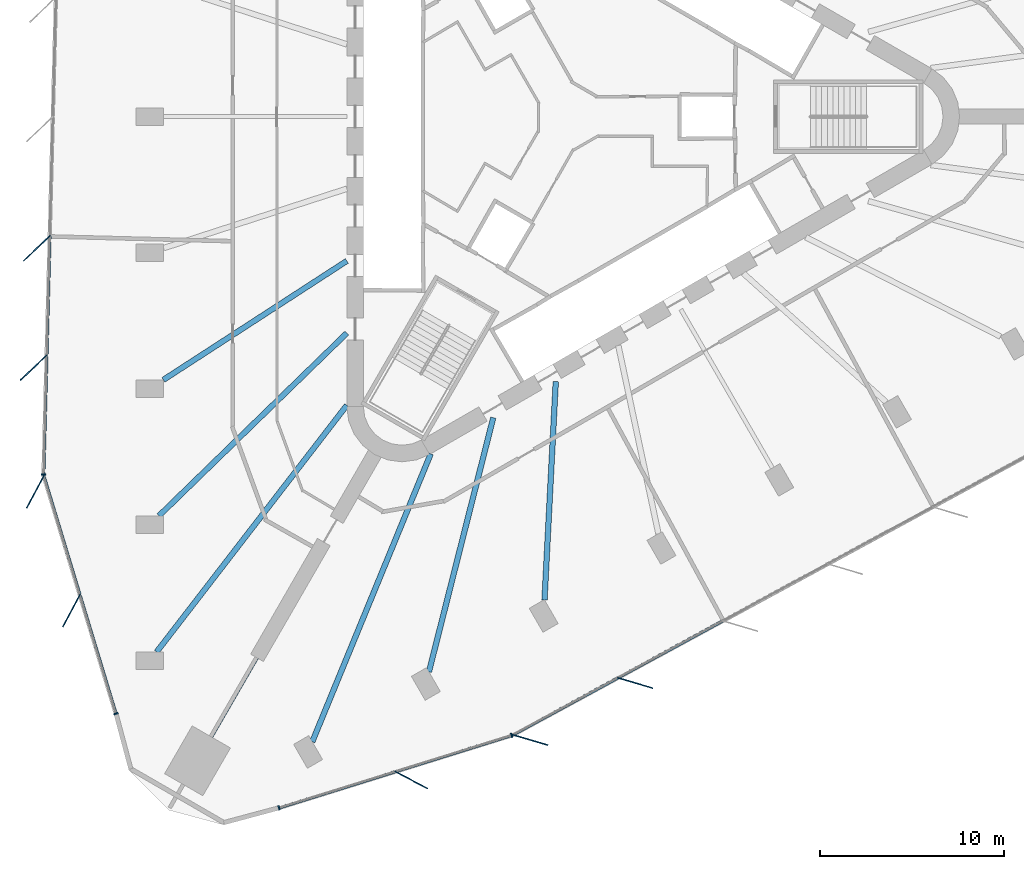
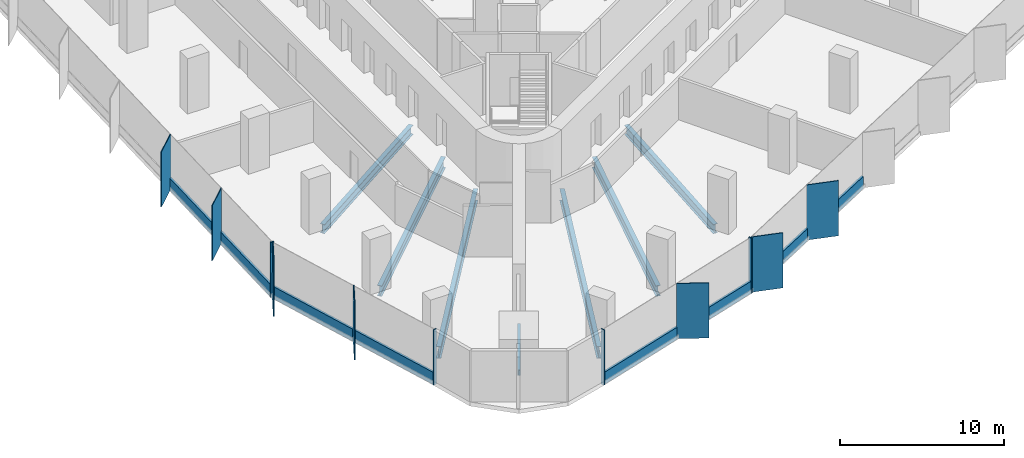
# One storey, part 2 of 14: 19 members, 7 beams, 4 elements without a shape of their own.
"""IFC4 building model written with IfcOpenShell, lengths in metres."""

from ifc_helpers import new_model, si_unit, direction, frame, origin, origin_2d, place, context, subcontext, project, spatial, rectangle, i_section, extrude, material, material_profile, profile_set, type_object, element, aggregate, save


model = new_model("IFC4")

# Units and contexts
model_context = context("Model", 3, precision=1e-05, world=origin(), true_north=direction((0.0, 1.0)))
body_context = subcontext(model_context, "Body", "Model", "MODEL_VIEW")
ifc_project = project(units=[si_unit("LENGTHUNIT", "METRE"), si_unit("AREAUNIT", "SQUARE_METRE"), si_unit("VOLUMEUNIT", "CUBIC_METRE"), si_unit("PLANEANGLEUNIT", "RADIAN"), si_unit("MASSUNIT", "GRAM", prefix="KILO")], contexts=[model_context])

# Site, building, storey
site_placement = place(None, origin())
site = spatial("IfcSite", under=ifc_project, at=site_placement, CompositionType="ELEMENT")
building_placement = place(site_placement, origin())
building = spatial("IfcBuilding", under=site, at=building_placement, Name="Tanit Gate Tower", CompositionType="ELEMENT")
storey_placement = place(building_placement, frame((0.0, 0.0, 123.39990234375)))
storey = spatial("IfcBuildingStorey", under=building, at=storey_placement, Name="L26", CompositionType="ELEMENT", Elevation=123.39990234375)

# Curtain wall, members
ifc_material_1 = material(Name="Aluminium bronze anodised and glass", Category="aluminium")
curtain_wall_type = type_object("IfcCurtainWallType", Name="Curtain wall typical low", PredefinedType="NOTDEFINED", material=ifc_material_1)
curtain_wall_1_placement = place(storey_placement, origin())
curtain_wall_1 = element("IfcCurtainWall", 1, at=curtain_wall_1_placement, inside=storey, type_object=curtain_wall_type, Name="Curtain wall L26 W2", PredefinedType="NOTDEFINED")
ifc_material_2 = material(Name="Aluminium bronze anodised", Category="aluminium")
ifc_material_profile_1 = material_profile(ifc_material_2, rectangle(XDim=2.0, YDim=0.055908203125, at=origin_2d()), Name="56x2000 bronze fin mullion")
ifc_profile_set_1 = profile_set([ifc_material_profile_1], Name="Aluminium bronze anodised")
member_type_1 = type_object("IfcMemberType", Name="FIN MULLION 56x2000 bronze", PredefinedType="MULLION", material=ifc_profile_set_1)
member_1_placement = place(storey_placement, frame((-28.945556640625, -7.157470703125, -0.2998046875), z_axis=(0.0, 0.0, 1.0), x_axis=(0.725295571884, 0.688437603131, 0.0)))
member_1 = element("IfcMember", 2, at=member_1_placement, type_object=member_type_1, Name="Fin mullion L26 W2.5", PredefinedType="MULLION", context=body_context, shape_type="SweptSolid", body=[
    extrude(rectangle(XDim=2.0, YDim=0.055908203125, at=origin_2d()), origin(), (0.0, 0.0, 1.0), 4.099853515625),
])
member_2_placement = place(storey_placement, frame((-29.11474609375, -13.64306640625, -0.2998046875), z_axis=(0.0, 0.0, 1.0), x_axis=(0.725295571884, 0.688437603131, 0.0)))
member_2 = element("IfcMember", 3, at=member_2_placement, type_object=member_type_1, Name="Fin mullion L26 W2.6", PredefinedType="MULLION", context=body_context, shape_type="SweptSolid", body=[
    extrude(rectangle(XDim=2.0, YDim=0.055908203125, at=origin_2d()), origin(), (0.0, 0.0, 1.0), 4.099853515625),
])

curtain_wall_2_placement = place(storey_placement, origin())
curtain_wall_2 = element("IfcCurtainWall", 4, at=curtain_wall_2_placement, inside=storey, type_object=curtain_wall_type, Name="Curtain wall L26 W3", PredefinedType="NOTDEFINED")
member_3_placement = place(storey_placement, frame((-29.02490234375, -20.395751953125, -0.2998046875), z_axis=(0.0, 0.0, 1.0), x_axis=(0.471377964943, 0.881931297872, 0.0)))
member_3 = element("IfcMember", 5, at=member_3_placement, type_object=member_type_1, Name="Fin mullion L26 W3.1", PredefinedType="MULLION", context=body_context, shape_type="SweptSolid", body=[
    extrude(rectangle(XDim=2.0, YDim=0.055908203125, at=origin_2d()), origin(), (0.0, 0.0, 1.0), 4.099853515625),
])
member_4_placement = place(storey_placement, frame((-27.066162109375, -26.85302734375, -0.2998046875), z_axis=(0.0, 0.0, 1.0), x_axis=(0.471377964943, 0.881931297872, 0.0)))
member_4 = element("IfcMember", 6, at=member_4_placement, type_object=member_type_1, Name="Fin mullion L26 W3.2", PredefinedType="MULLION", context=body_context, shape_type="SweptSolid", body=[
    extrude(rectangle(XDim=2.0, YDim=0.055908203125, at=origin_2d()), origin(), (0.0, 0.0, 1.0), 4.099853515625),
])

# Curtain wall, member
curtain_wall_3_placement = place(storey_placement, origin())
curtain_wall_3 = element("IfcCurtainWall", 7, at=curtain_wall_3_placement, inside=storey, type_object=curtain_wall_type, Name="Curtain wall L26 SE1", PredefinedType="NOTDEFINED")
member_5_placement = place(storey_placement, frame((-8.59765625, -36.05126953125, -0.2998046875), z_axis=(0.0, 0.0, 1.0), x_axis=(-0.885483827733, 0.464670195756, 0.0)))
member_5 = element("IfcMember", 8, at=member_5_placement, type_object=member_type_1, Name="Fin mullion L26 SE1.2", PredefinedType="MULLION", context=body_context, shape_type="SweptSolid", body=[
    extrude(rectangle(XDim=2.0, YDim=0.055908203125, at=origin_2d()), origin(), (0.0, 0.0, 1.0), 4.099853515625),
])

# Curtain wall, members
curtain_wall_4_placement = place(storey_placement, origin())
curtain_wall_4 = element("IfcCurtainWall", 9, at=curtain_wall_4_placement, inside=storey, type_object=curtain_wall_type, Name="Curtain wall L26 SE2", PredefinedType="NOTDEFINED")
member_6_placement = place(storey_placement, frame((-2.1328125, -33.8740234375, -0.2998046875), z_axis=(0.0, 0.0, 1.0), x_axis=(-0.958852239174, 0.283905588939, 0.0)))
member_6 = element("IfcMember", 10, at=member_6_placement, type_object=member_type_1, Name="Fin mullion L26 SE2.1", PredefinedType="MULLION", context=body_context, shape_type="SweptSolid", body=[
    extrude(rectangle(XDim=2.0, YDim=0.055908203125, at=origin_2d()), origin(), (0.0, 0.0, 1.0), 4.099853515625),
])
member_7_placement = place(storey_placement, frame((3.568115234375, -30.777587890625, -0.2998046875), z_axis=(0.0, 0.0, 1.0), x_axis=(-0.958852239174, 0.283905588939, 0.0)))
member_7 = element("IfcMember", 11, at=member_7_placement, type_object=member_type_1, Name="Fin mullion L26 SE2.2", PredefinedType="MULLION", context=body_context, shape_type="SweptSolid", body=[
    extrude(rectangle(XDim=2.0, YDim=0.055908203125, at=origin_2d()), origin(), (0.0, 0.0, 1.0), 4.099853515625),
])

# Member
ifc_material_3 = material(Name="Aluminium bronze anodised", Category="aluminium")
ifc_material_profile_2 = material_profile(ifc_material_3, rectangle(XDim=0.239990234375, YDim=0.080078125, at=origin_2d()), Name="80x240 bronze mullion")
ifc_profile_set_2 = profile_set([ifc_material_profile_2], Name="Aluminium bronze anodised")
member_type_2 = type_object("IfcMemberType", Name="Mullion 80x240 typical low", PredefinedType="MULLION", material=ifc_profile_set_2)
member_8_placement = place(storey_placement, frame((-28.574951171875, -19.45556640625, -0.2998046875), z_axis=(0.0, 0.0, 1.0), x_axis=(0.999660314842, -0.026062519646, 0.0)))
member_8 = element("IfcMember", 12, at=member_8_placement, type_object=member_type_2, Name="Mullion L26 W2.7", PredefinedType="MULLION", context=body_context, shape_type="SweptSolid", body=[
    extrude(rectangle(XDim=0.239990234375, YDim=0.080078125, at=origin_2d()), origin(), (0.0, 0.0, 1.0), 4.099853515625),
])

member_9_placement = place(storey_placement, frame((-24.646484375, -32.448486328125, -0.2998046875), z_axis=(0.0, 0.0, 1.0), x_axis=(0.956934156779, 0.290305045753, 0.0)))
member_9 = element("IfcMember", 13, at=member_9_placement, type_object=member_type_2, Name="Mullion L26 W3.3", PredefinedType="MULLION", context=body_context, shape_type="SweptSolid", body=[
    extrude(rectangle(XDim=0.239990234375, YDim=0.080078125, at=origin_2d()), origin(), (0.0, 0.0, 1.0), 4.099853515625),
])

member_10_placement = place(storey_placement, frame((-15.782958984375, -37.56689453125, -0.2998046875), z_axis=(0.0, 0.0, 1.0), x_axis=(-0.297560172786, 0.954703065655, 0.0)))
member_10 = element("IfcMember", 14, at=member_10_placement, type_object=member_type_2, Name="Mullion L26 SE1.1", PredefinedType="MULLION", context=body_context, shape_type="SweptSolid", body=[
    extrude(rectangle(XDim=0.239990234375, YDim=0.080078125, at=origin_2d()), origin(), (0.0, 0.0, 1.0), 4.099853515625),
])

member_11_placement = place(storey_placement, frame((-3.143310546875, -33.62744140625, -0.2998046875), z_axis=(0.0, 0.0, 1.0), x_axis=(-0.297560172786, 0.954703065655, 0.0)))
member_11 = element("IfcMember", 15, at=member_11_placement, type_object=member_type_2, Name="Mullion L26 SE1.3", PredefinedType="MULLION", context=body_context, shape_type="SweptSolid", body=[
    extrude(rectangle(XDim=0.239990234375, YDim=0.080078125, at=origin_2d()), origin(), (0.0, 0.0, 1.0), 4.099853515625),
])

# Beams
ifc_material_4 = material(Name="Steel S355", Category="steel")
ifc_material_profile_3 = material_profile(ifc_material_4, i_section(OverallWidth=0.300048828125, OverallDepth=0.68994140625, WebThickness=0.014404296875, FlangeThickness=0.027099609375, FilletRadius=0.027099609375, at=origin_2d()), Name="HEA 700")
ifc_profile_set_3 = profile_set([ifc_material_profile_3], Name="Steel S355")
beam_type_1 = type_object("IfcBeamType", Name="RADIAL GIRDER HEA 700 S355", PredefinedType="BEAM", material=ifc_profile_set_3)
for number, where, z_axis, x_axis, name in (
    (16, (-22.067626953125, -14.307861328125, -0.64501953125), (0.839066280254, 0.54402920633, 0.0), (-0.54402920633, 0.839066280254, 0.0), "RADIAL GIRDER"),
    (17, (-1.357177734375, -26.264892578125, -0.64501953125), (0.051595349466, 0.998668072942, 0.0), (-0.998668072942, 0.051595349466, 0.0), "RADIAL GIRDER"),
):
    element("IfcBeam", number, at=place(storey_placement, frame(where, z_axis=z_axis, x_axis=x_axis)), inside=storey, type_object=beam_type_1, Name=name, PredefinedType="BEAM", context=body_context, shape_type="SweptSolid", body=[
        extrude(i_section(OverallWidth=0.300048828125, OverallDepth=0.68994140625, WebThickness=0.014404296875, FlangeThickness=0.027099609375, FilletRadius=0.027099609375, at=origin_2d()), origin(), (0.0, 0.0, 1.0), 11.876953125),
    ])
ifc_material_5 = material(Name="Steel S355", Category="steel")
ifc_material_profile_4 = material_profile(ifc_material_5, i_section(OverallWidth=0.300048828125, OverallDepth=0.7900390625, WebThickness=0.014892578125, FlangeThickness=0.028076171875, FilletRadius=0.030029296875, at=origin_2d()), Name="HEA 800")
ifc_profile_set_4 = profile_set([ifc_material_profile_4], Name="Steel S355")
beam_type_2 = type_object("IfcBeamType", Name="RADIAL GIRDER HEA 800 S355", PredefinedType="BEAM", material=ifc_profile_set_4)
for number, where, z_axis, x_axis, name in (
    (18, (-22.311767578125, -21.69921875, -0.69482421875), (0.716878053462, 0.697198577497, 0.0), (-0.697198577497, 0.716878053462, 0.0), "RADIAL GIRDER"),
    (19, (-7.63623046875, -30.172119140625, -0.69482421875), (0.245341928532, 0.969436608605, 0.0), (-0.969436608605, 0.245341928532, 0.0), "RADIAL GIRDER"),
):
    element("IfcBeam", number, at=place(storey_placement, frame(where, z_axis=z_axis, x_axis=x_axis)), inside=storey, type_object=beam_type_2, Name=name, PredefinedType="BEAM", context=body_context, shape_type="SweptSolid", body=[
        extrude(i_section(OverallWidth=0.300048828125, OverallDepth=0.7900390625, WebThickness=0.014892578125, FlangeThickness=0.028076171875, FilletRadius=0.030029296875, at=origin_2d()), origin(), (0.0, 0.0, 1.0), 14.241943359375),
    ])
ifc_material_6 = material(Name="Steel S355", Category="steel")
ifc_material_profile_5 = material_profile(ifc_material_6, i_section(OverallWidth=0.300048828125, OverallDepth=0.889892578125, WebThickness=0.01611328125, FlangeThickness=0.030029296875, FilletRadius=0.030029296875, at=origin_2d()), Name="HEA 900")
ifc_profile_set_5 = profile_set([ifc_material_profile_5], Name="Steel S355")
beam_type_3 = type_object("IfcBeamType", Name="RADIAL GIRDER HEA 900 S355", PredefinedType="BEAM", material=ifc_profile_set_5)
for number, where, z_axis, x_axis, name in (
    (20, (-22.433837890625, -29.0908203125, -0.744873046875), (0.610670590599, 0.791884732633, 0.0), (-0.791884732633, 0.610670590599, 0.0), "RADIAL GIRDER"),
    (21, (-13.976318359375, -33.9736328125, -0.744873046875), (0.380451490729, 0.924800877596, 0.0), (-0.924800877596, 0.380451490729, 0.0), "RADIAL GIRDER"),
):
    element("IfcBeam", number, at=place(storey_placement, frame(where, z_axis=z_axis, x_axis=x_axis)), inside=storey, type_object=beam_type_3, Name=name, PredefinedType="BEAM", context=body_context, shape_type="SweptSolid", body=[
        extrude(i_section(OverallWidth=0.300048828125, OverallDepth=0.889892578125, WebThickness=0.01611328125, FlangeThickness=0.030029296875, FilletRadius=0.030029296875, at=origin_2d()), origin(), (0.0, 0.0, 1.0), 16.918701171875),
    ])
ifc_material_7 = material(Name="Steel S355", Category="steel")
ifc_material_profile_6 = material_profile(ifc_material_7, i_section(OverallWidth=0.179931640625, OverallDepth=0.39990234375, WebThickness=0.008544921875, FlangeThickness=0.013427734375, FilletRadius=0.02099609375, at=origin_2d()), Name="IPE 400")
ifc_profile_set_6 = profile_set([ifc_material_profile_6], Name="Steel S355")
beam_type_4 = type_object("IfcBeamType", Name="RADIAL GIRDER IPE 400 S355", PredefinedType="BEAM", material=ifc_profile_set_6)
beam_placement = place(storey_placement, frame((-19.462646484375, -33.71044921875, -0.5), z_axis=(0.499969421594, 0.866043057515, 0.0), x_axis=(-0.866043057515, 0.499969421594, 0.0)))
element("IfcBeam", 22, at=beam_placement, inside=storey, type_object=beam_type_4, Name="RADIAL GIRDER", PredefinedType="BEAM", context=body_context, shape_type="SweptSolid", body=[
    extrude(i_section(OverallWidth=0.179931640625, OverallDepth=0.39990234375, WebThickness=0.008544921875, FlangeThickness=0.013427734375, FilletRadius=0.02099609375, at=origin_2d()), origin(), (0.0, 0.0, 1.0), 4.963134765625),
])

# Member
ifc_material_8 = material(Name="Aluminium bronze anodised", Category="aluminium")
ifc_material_profile_7 = material_profile(ifc_material_8, rectangle(XDim=0.159912109375, YDim=0.89990234375, at=origin_2d()), Name="160x900 bronze transom")
ifc_profile_set_7 = profile_set([ifc_material_profile_7], Name="Aluminium bronze anodised")
member_type_3 = type_object("IfcMemberType", Name="Transom 160x900 typical low", PredefinedType="USERDEFINED", material=ifc_profile_set_7)
member_12_placement = place(storey_placement, frame((-28.23779296875, -6.524658203125, 0.150146484375), z_axis=(-0.026061199028, -0.999660349271, 0.0), x_axis=(0.999660349271, -0.026061199028, 0.0)))
member_12 = element("IfcMember", 23, at=member_12_placement, type_object=member_type_3, Name="Transom L26 W2.5", ObjectType="TRANSOM", PredefinedType="USERDEFINED", context=body_context, shape_type="SweptSolid", body=[
    extrude(rectangle(XDim=0.159912109375, YDim=0.89990234375, at=origin_2d()), origin(), (0.0, 0.0, 1.0), 6.40771484375),
])

member_13_placement = place(storey_placement, frame((-28.40673828125, -13.010009765625, 0.150146484375), z_axis=(-0.026061199028, -0.999660349271, 0.0), x_axis=(0.999660349271, -0.026061199028, 0.0)))
member_13 = element("IfcMember", 24, at=member_13_placement, type_object=member_type_3, Name="Transom L26 W2.6", ObjectType="TRANSOM", PredefinedType="USERDEFINED", context=body_context, shape_type="SweptSolid", body=[
    extrude(rectangle(XDim=0.159912109375, YDim=0.89990234375, at=origin_2d()), origin(), (0.0, 0.0, 1.0), 6.40771484375),
])

aggregate(curtain_wall_1, [member_1, member_2, member_8, member_12, member_13])

member_14_placement = place(storey_placement, frame((-28.552734375, -19.572021484375, 0.150146484375), z_axis=(0.290309188967, -0.956932899843, 0.0), x_axis=(0.956932899843, 0.290309188967, 0.0)))
member_14 = element("IfcMember", 25, at=member_14_placement, type_object=member_type_3, Name="Transom L26 W3.1", ObjectType="TRANSOM", PredefinedType="USERDEFINED", context=body_context, shape_type="SweptSolid", body=[
    extrude(rectangle(XDim=0.159912109375, YDim=0.89990234375, at=origin_2d()), origin(), (0.0, 0.0, 1.0), 6.66796875),
])

member_15_placement = place(storey_placement, frame((-26.59375, -26.029296875, 0.150146484375), z_axis=(0.290309188967, -0.956932899843, 0.0), x_axis=(0.956932899843, 0.290309188967, 0.0)))
member_15 = element("IfcMember", 26, at=member_15_placement, type_object=member_type_3, Name="Transom L26 W3.2", ObjectType="TRANSOM", PredefinedType="USERDEFINED", context=body_context, shape_type="SweptSolid", body=[
    extrude(rectangle(XDim=0.159912109375, YDim=0.89990234375, at=origin_2d()), origin(), (0.0, 0.0, 1.0), 6.66796875),
])

aggregate(curtain_wall_2, [member_3, member_4, member_9, member_14, member_15])

member_16_placement = place(storey_placement, frame((-15.744873046875, -37.554931640625, 0.150146484375), z_axis=(0.954708873839, 0.297541536953, 0.0), x_axis=(-0.297541536953, 0.954708873839, 0.0)))
member_16 = element("IfcMember", 27, at=member_16_placement, type_object=member_type_3, Name="Transom L26 SE1.1", ObjectType="TRANSOM", PredefinedType="USERDEFINED", context=body_context, shape_type="SweptSolid", body=[
    extrude(rectangle(XDim=0.159912109375, YDim=0.89990234375, at=origin_2d()), origin(), (0.0, 0.0, 1.0), 6.53955078125),
])

member_17_placement = place(storey_placement, frame((-9.425048828125, -35.585205078125, 0.150146484375), z_axis=(0.954708873839, 0.297541536953, 0.0), x_axis=(-0.297541536953, 0.954708873839, 0.0)))
member_17 = element("IfcMember", 28, at=member_17_placement, type_object=member_type_3, Name="Transom L26 SE1.2", ObjectType="TRANSOM", PredefinedType="USERDEFINED", context=body_context, shape_type="SweptSolid", body=[
    extrude(rectangle(XDim=0.159912109375, YDim=0.89990234375, at=origin_2d()), origin(), (0.0, 0.0, 1.0), 6.53955078125),
])

aggregate(curtain_wall_3, [member_10, member_5, member_11, member_16, member_17])

member_18_placement = place(storey_placement, frame((-3.034912109375, -33.577392578125, 0.150146484375), z_axis=(0.878764866194, 0.477254973723, 0.0), x_axis=(-0.477254973723, 0.878764866194, 0.0)))
member_18 = element("IfcMember", 29, at=member_18_placement, type_object=member_type_3, Name="Transom L26 SE2.1", ObjectType="TRANSOM", PredefinedType="USERDEFINED", context=body_context, shape_type="SweptSolid", body=[
    extrude(rectangle(XDim=0.159912109375, YDim=0.89990234375, at=origin_2d()), origin(), (0.0, 0.0, 1.0), 6.40771484375),
])

member_19_placement = place(storey_placement, frame((2.666259765625, -30.481201171875, 0.150146484375), z_axis=(0.878756187372, 0.477270953606, 0.0), x_axis=(-0.477270953606, 0.878756187372, 0.0)))
member_19 = element("IfcMember", 30, at=member_19_placement, type_object=member_type_3, Name="Transom L26 SE2.2", ObjectType="TRANSOM", PredefinedType="USERDEFINED", context=body_context, shape_type="SweptSolid", body=[
    extrude(rectangle(XDim=0.159912109375, YDim=0.89990234375, at=origin_2d()), origin(), (0.0, 0.0, 1.0), 6.407470703125),
])

aggregate(curtain_wall_4, [member_6, member_7, member_18, member_19])

save(model, "model.ifc")
